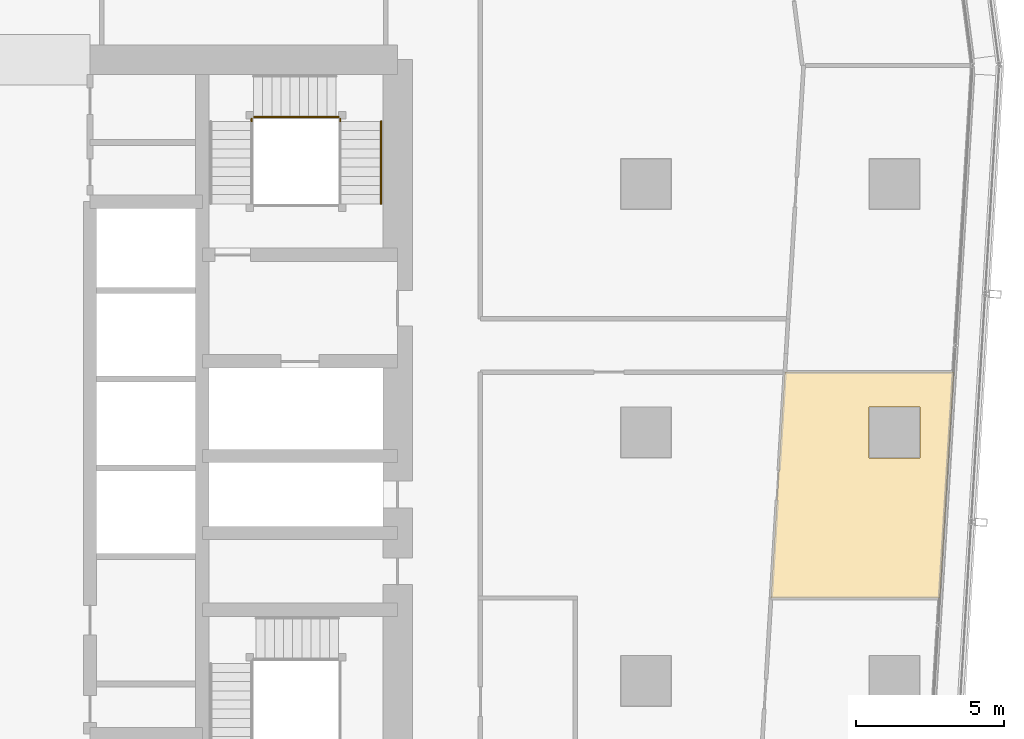
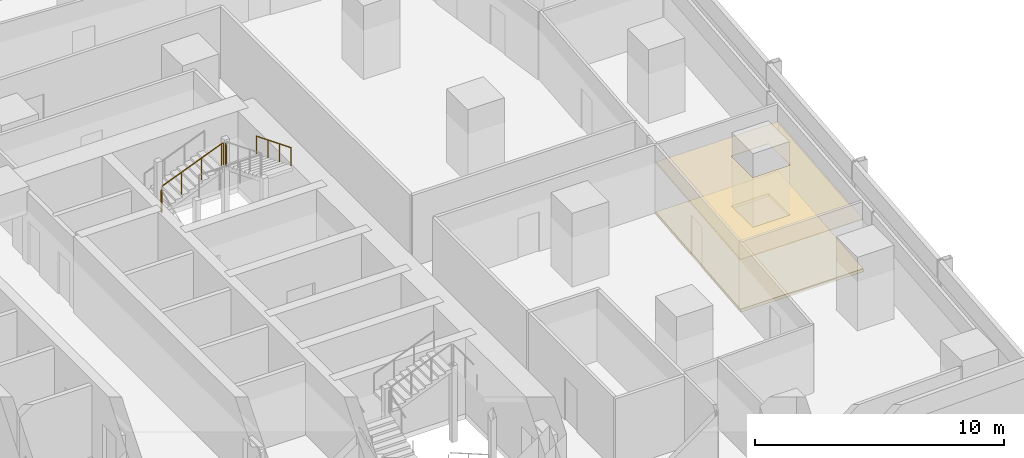
# One storey, part 39 of 40: 5 railings, 2 coverings.
"""IFC4 building model written with IfcOpenShell, lengths in metres."""

from ifc_helpers import new_model, si_unit, direction, frame, origin, origin_2d, place, context, subcontext, project, spatial, polyline, circle, outline, extrude, material, layer, layer_set, type_object, element, save


model = new_model("IFC4")

# Units and contexts
model_context = context("Model", 3, precision=1e-05, world=origin(), true_north=direction((0.0, 1.0)))
body_context = subcontext(model_context, "Body", "Model", "MODEL_VIEW")
ifc_project = project(units=[si_unit("LENGTHUNIT", "METRE"), si_unit("AREAUNIT", "SQUARE_METRE"), si_unit("VOLUMEUNIT", "CUBIC_METRE"), si_unit("PLANEANGLEUNIT", "RADIAN"), si_unit("MASSUNIT", "GRAM", prefix="KILO")], contexts=[model_context])

# Site, building, storey
site_placement = place(None, origin())
site = spatial("IfcSite", under=ifc_project, at=site_placement, CompositionType="ELEMENT")
building_placement = place(site_placement, origin())
building = spatial("IfcBuilding", under=site, at=building_placement, Name="Rekha Terrace Tower", CompositionType="ELEMENT")
storey_placement = place(building_placement, frame((0.0, 0.0, 140.300048828125)))
storey = spatial("IfcBuildingStorey", under=building, at=storey_placement, Name="L35", CompositionType="ELEMENT", Elevation=140.300048828125)

# Covering
ifc_material_1 = material(Name="Mineral fibre tile in exposed grid", Category="finish")
ifc_layer_1 = layer(ifc_material_1, 0.02001953125)
ifc_layer_set_1 = layer_set([ifc_layer_1], Name="Mineral fibre tile in exposed grid")
covering_type_1 = type_object("IfcCoveringType", Name="CL1 600x1200 office grid ceiling", PredefinedType="CEILING", material=ifc_layer_set_1)
covering_1_placement = place(storey_placement, frame((0.0, 0.0, 2.579833984375)))
element("IfcCovering", 1, at=covering_1_placement, inside=storey, type_object=covering_type_1, Name="Ceiling L35-05", PredefinedType="CEILING", context=body_context, shape_type="SweptSolid", body=[
    extrude(outline(polyline([(63.02392578125, 27.9970703125), (68.735107421875, 27.9970703125), (69.202880859375, 35.633056640625), (63.491943359375, 35.633056640625), (63.02392578125, 27.9970703125)]), holes=[polyline([(68.06494140625, 34.465087890625), (68.06494140625, 32.735107421875), (66.3349609375, 32.735107421875), (66.3349609375, 34.465087890625), (68.06494140625, 34.465087890625)])]), origin(), (0.0, 0.0, 1.0), 0.02001953125),
])

# Railings
ifc_material_2 = material(Name="Stainless steel balustrade", Category="steel")
railing_type_1 = type_object("IfcRailingType", Name="GR1 1100 stair guard", PredefinedType="GUARDRAIL", material=ifc_material_2)
railing_1_placement = place(storey_placement, frame((45.52490234375, 44.260009765625, 1.375)))
element("IfcRailing", 2, at=railing_1_placement, inside=storey, type_object=railing_type_1, Name="Guard ST2 L35 flight 2", PredefinedType="GUARDRAIL", context=body_context, shape_type="SweptSolid", body=[
    extrude(circle(Radius=0.02392578125, at=origin_2d()), frame((0.0, 0.0, 1.076171875), z_axis=(0.927443287984, 0.0, 0.373963831907), x_axis=(0.0, 1.0, 0.0)), (0.0, 0.0, 1.0), 3.00830078125),
    extrude(circle(Radius=0.02099609375, at=origin_2d()), origin(), (0.0, 0.0, 1.0), 1.052001953125),
    extrude(circle(Radius=0.02099609375, at=origin_2d()), frame((0.929931640625, 0.0, 0.375)), (0.0, 0.0, 1.0), 1.052001953125),
    extrude(circle(Radius=0.02099609375, at=origin_2d()), frame((1.860107421875, 0.0, 0.75)), (0.0, 0.0, 1.0), 1.052001953125),
    extrude(circle(Radius=0.02099609375, at=origin_2d()), frame((2.7900390625, 0.0, 1.125)), (0.0, 0.0, 1.0), 1.052001953125),
])
railing_2_placement = place(storey_placement, frame((45.465087890625, 44.114990234375, 1.25)))
element("IfcRailing", 3, at=railing_2_placement, inside=storey, type_object=railing_type_1, Name="Guard ST2 L35 landing 1", PredefinedType="GUARDRAIL", context=body_context, shape_type="SweptSolid", body=[
    extrude(circle(Radius=0.02392578125, at=origin_2d()), frame((0.0, 0.0, 1.076171875), z_axis=(0.0, 1.0, 0.0), x_axis=(-1.0, 0.0, 0.0)), (0.0, 0.0, 1.0), 0.0849609375),
    extrude(circle(Radius=0.02099609375, at=origin_2d()), origin(), (0.0, 0.0, 1.0), 1.052001953125),
    extrude(circle(Radius=0.02099609375, at=origin_2d()), frame((0.0, 0.0849609375, 0.0)), (0.0, 0.0, 1.0), 1.052001953125),
])
railing_3_placement = place(storey_placement, frame((48.31494140625, 44.260009765625, 2.5)))
element("IfcRailing", 4, at=railing_3_placement, inside=storey, type_object=railing_type_1, Name="Guard ST2 L35 landing 2", PredefinedType="GUARDRAIL", context=body_context, shape_type="SweptSolid", body=[
    extrude(circle(Radius=0.02392578125, at=origin_2d()), frame((0.0, 0.0, 1.076171875), z_axis=(1.0, 0.0, 0.0), x_axis=(0.0, 1.0, 0.0)), (0.0, 0.0, 1.0), 0.0849609375),
    extrude(circle(Radius=0.02099609375, at=origin_2d()), origin(), (0.0, 0.0, 1.0), 1.052001953125),
    extrude(circle(Radius=0.02099609375, at=origin_2d()), frame((0.0849609375, 0.0, 0.0)), (0.0, 0.0, 1.0), 1.052001953125),
])
railing_4_placement = place(storey_placement, frame((48.4599609375, 44.114990234375, 2.5)))
element("IfcRailing", 5, at=railing_4_placement, inside=storey, type_object=railing_type_1, Name="Guard ST2 L35 landing 3", PredefinedType="GUARDRAIL", context=body_context, shape_type="SweptSolid", body=[
    extrude(circle(Radius=0.02392578125, at=origin_2d()), frame((0.0, 0.0, 1.076171875), z_axis=(0.0, 1.0, 0.0), x_axis=(-1.0, 0.0, 0.0)), (0.0, 0.0, 1.0), 0.0849609375),
    extrude(circle(Radius=0.02099609375, at=origin_2d()), origin(), (0.0, 0.0, 1.0), 1.052001953125),
    extrude(circle(Radius=0.02099609375, at=origin_2d()), frame((0.0, 0.0849609375, 0.0)), (0.0, 0.0, 1.0), 1.052001953125),
])
ifc_material_3 = material(Name="Stainless steel tube", Category="steel")
railing_type_2 = type_object("IfcRailingType", Name="HR1 900 stair handrail", PredefinedType="HANDRAIL", material=ifc_material_3)
railing_5_placement = place(storey_placement, frame((49.840087890625, 44.114990234375, 2.625)))
element("IfcRailing", 6, at=railing_5_placement, inside=storey, type_object=railing_type_2, Name="Handrail ST2 L35 flight 3", PredefinedType="HANDRAIL", context=body_context, shape_type="SweptSolid", body=[
    extrude(circle(Radius=0.02392578125, at=origin_2d()), frame((0.0, 0.0, 0.8759765625), z_axis=(0.0, -0.927443287984, 0.373963831907), x_axis=(1.0, 0.0, 0.0)), (0.0, 0.0, 1.0), 3.00830078125),
    extrude(circle(Radius=0.02099609375, at=origin_2d()), origin(), (0.0, 0.0, 1.0), 0.851806640625),
    extrude(circle(Radius=0.02099609375, at=origin_2d()), frame((0.0, -0.929931640625, 0.375)), (0.0, 0.0, 1.0), 0.851806640625),
    extrude(circle(Radius=0.02099609375, at=origin_2d()), frame((0.0, -1.860107421875, 0.75)), (0.0, 0.0, 1.0), 0.851806640625),
    extrude(circle(Radius=0.02099609375, at=origin_2d()), frame((0.0, -2.7900390625, 1.125)), (0.0, 0.0, 1.0), 0.851806640625),
])

# Covering
ifc_material_4 = material(Name="Calcium sulphate panels on steel pedestals", Category="steel")
ifc_layer_2 = layer(ifc_material_4, 0.14990234375)
ifc_layer_set_2 = layer_set([ifc_layer_2], Name="Calcium sulphate panels on steel pedestals")
covering_type_2 = type_object("IfcCoveringType", Name="RF1 150 raised access floor", PredefinedType="FLOORING", material=ifc_layer_set_2)
covering_2_placement = place(storey_placement, origin())
element("IfcCovering", 7, at=covering_2_placement, inside=storey, type_object=covering_type_2, Name="Raised floor L35-05", PredefinedType="FLOORING", context=body_context, shape_type="SweptSolid", body=[
    extrude(outline(polyline([(63.02392578125, 27.9970703125), (68.735107421875, 27.9970703125), (69.202880859375, 35.633056640625), (63.491943359375, 35.633056640625), (63.02392578125, 27.9970703125)]), holes=[polyline([(68.06494140625, 34.465087890625), (68.06494140625, 32.735107421875), (66.3349609375, 32.735107421875), (66.3349609375, 34.465087890625), (68.06494140625, 34.465087890625)])]), origin(), (0.0, 0.0, 1.0), 0.14990234375),
])

save(model, "model.ifc")
